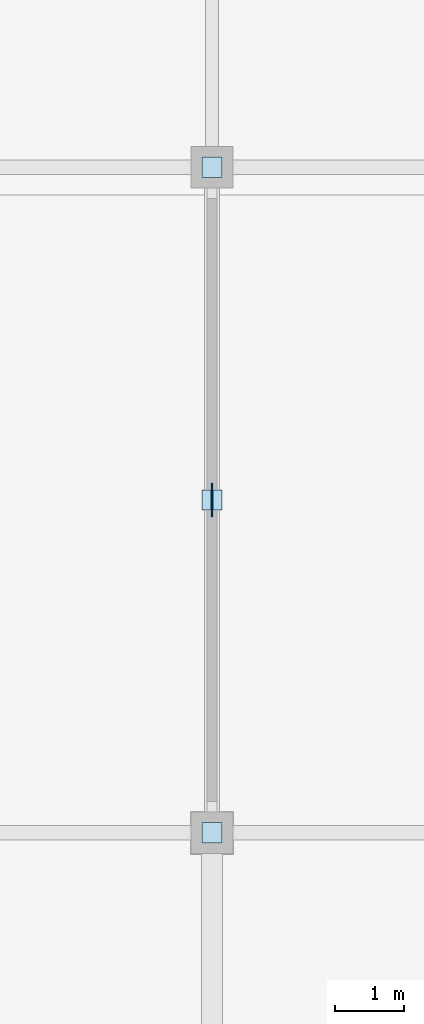
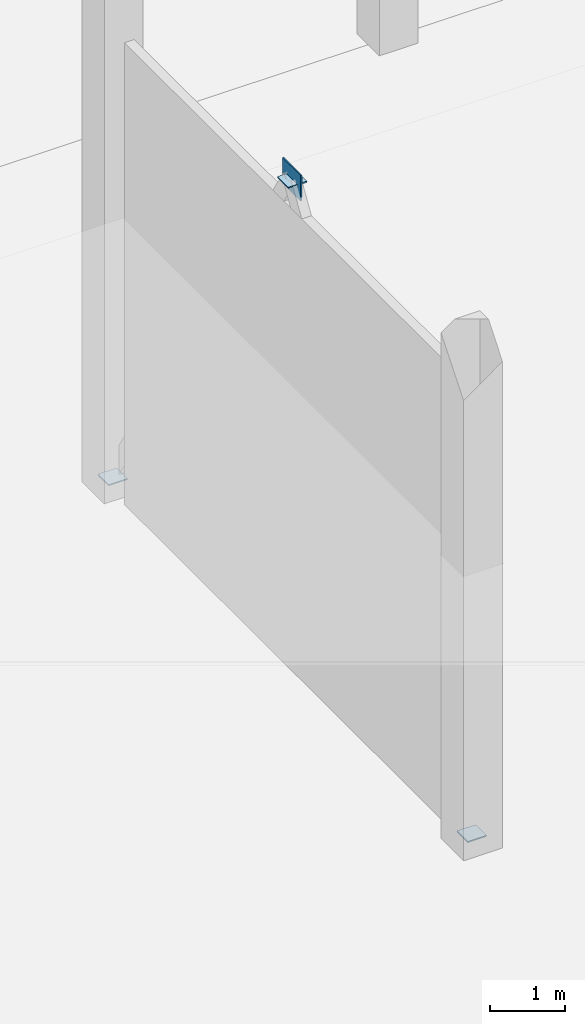
# One storey, part 114 of 131: 4 plates.
"""IFC4 building model written with IfcOpenShell, lengths in metres."""

from ifc_helpers import new_model, si_unit, direction, frame, origin, origin_2d, place, context, subcontext, project, spatial, rectangle, extrude, material, layer, layer_set, type_object, element, save


model = new_model("IFC4")

# Units and contexts
model_context = context("Model", 3, precision=1e-05, world=origin(), true_north=direction((0.0, 1.0)))
body_context = subcontext(model_context, "Body", "Model", "MODEL_VIEW")
ifc_project = project(units=[si_unit("LENGTHUNIT", "METRE"), si_unit("AREAUNIT", "SQUARE_METRE"), si_unit("VOLUMEUNIT", "CUBIC_METRE"), si_unit("PLANEANGLEUNIT", "RADIAN"), si_unit("MASSUNIT", "GRAM", prefix="KILO")], contexts=[model_context])

# Site, building, storey
site_placement = place(None, origin())
site = spatial("IfcSite", under=ifc_project, at=site_placement, CompositionType="ELEMENT")
building_placement = place(site_placement, origin())
building = spatial("IfcBuilding", under=site, at=building_placement, Name="Veltarok Museum of Natural Sciences", CompositionType="ELEMENT")
storey_placement = place(building_placement, origin())
storey = spatial("IfcBuildingStorey", under=building, at=storey_placement, Name="L00", CompositionType="ELEMENT", Elevation=0.0)

# Plates
ifc_material = material(Name="Steel S355J2", Category="steel")
ifc_layer_1 = layer(ifc_material, 0.02001953125)
ifc_layer_set_1 = layer_set([ifc_layer_1], Name="Steel S355J2")
plate_type_1 = type_object("IfcPlateType", Name="Hollow End Closure Plate D290x20", PredefinedType="USERDEFINED", material=ifc_layer_set_1)
for number, where, z_axis, x_axis, name in (
    (1, (149.199951171875, 9.60205078125, 0.143310546875), (0.0, 0.0, 1.0), (0.0, 1.0, 0.0), "End Cap Plate CP-273 459"),
    (2, (149.199951171875, 14.39794921875, 7.906494140625), (0.0, 0.0, 1.0), (0.0, 1.0, 0.0), "End Cap Plate CP-273 460"),
    (3, (149.199951171875, 19.197998046875, 0.143310546875), (0.0, 0.0, 1.0), (0.0, 1.0, 0.0), "End Cap Plate CP-273 461"),
):
    element("IfcPlate", number, at=place(storey_placement, frame(where, z_axis=z_axis, x_axis=x_axis)), inside=storey, type_object=plate_type_1, Name=name, ObjectType="END CAP PLATE", PredefinedType="USERDEFINED", context=body_context, shape_type="SweptSolid", body=[
        extrude(rectangle(XDim=0.2900390625, YDim=0.2900390625, at=origin_2d()), origin(), (0.0, 0.0, 1.0), 0.02001953125),
    ])
ifc_layer_2 = layer(ifc_material, 0.02001953125)
ifc_layer_set_2 = layer_set([ifc_layer_2], Name="Steel S355J2")
plate_type_2 = type_object("IfcPlateType", Name="Lateral Brace Gusset Node Plate BN1", PredefinedType="USERDEFINED", material=ifc_layer_set_2)
plate_placement = place(storey_placement, frame((149.199951171875, 14.39990234375, 7.7099609375), z_axis=(0.0, 0.0, 1.0), x_axis=(1.0, 0.0, 0.0)))
element("IfcPlate", 4, at=plate_placement, inside=storey, type_object=plate_type_2, Name="Lateral Brace Apex Node BN1 32", ObjectType="GUSSET PLATE", PredefinedType="USERDEFINED", context=body_context, shape_type="SweptSolid", body=[
    extrude(rectangle(XDim=0.02001953125, YDim=0.47998046875, at=origin_2d()), origin(), (0.0, 0.0, 1.0), 0.419921875),
])

save(model, "model.ifc")
